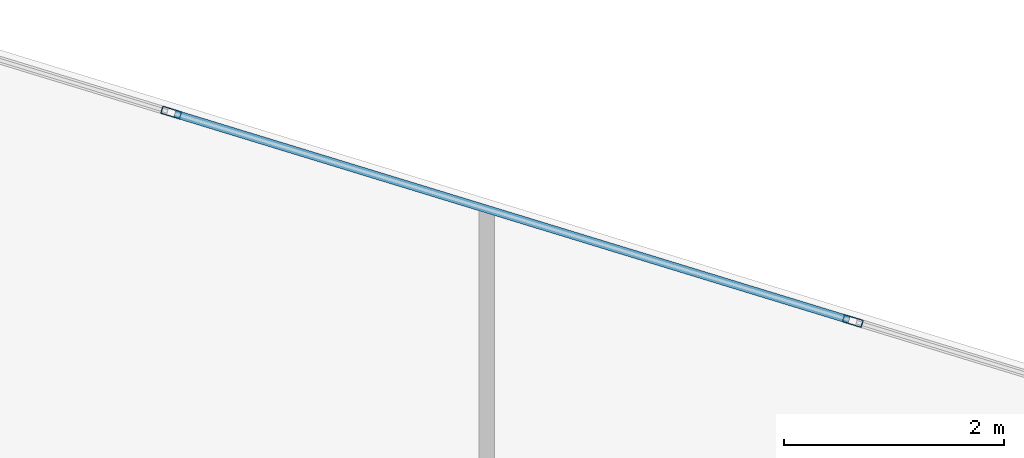
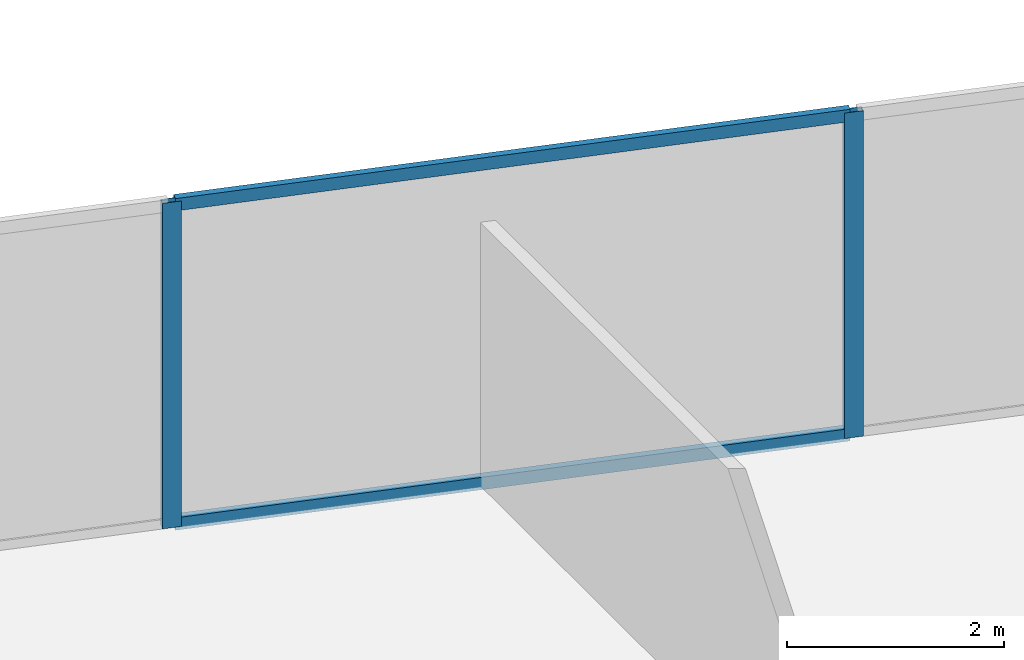
# One storey, part 20 of 26: 4 members, 1 element without a shape of its own.
"""IFC4 building model written with IfcOpenShell, lengths in metres."""

from ifc_helpers import new_model, si_unit, direction, frame, origin, origin_2d, place, context, subcontext, project, spatial, hollow_rectangle, extrude, source, transform, mapped, material, material_profile, profile_set, type_object, type_shapes, element, aggregate, save


model = new_model("IFC4")

# Units and contexts
model_context = context("Model", 3, precision=1e-05, world=origin(), true_north=direction((0.0, 1.0)))
body_context = subcontext(model_context, "Body", "Model", "MODEL_VIEW")
ifc_project = project(units=[si_unit("LENGTHUNIT", "METRE"), si_unit("AREAUNIT", "SQUARE_METRE"), si_unit("VOLUMEUNIT", "CUBIC_METRE"), si_unit("PLANEANGLEUNIT", "RADIAN"), si_unit("MASSUNIT", "GRAM", prefix="KILO")], contexts=[model_context])

# Site, building, storey
site_placement = place(None, origin())
site = spatial("IfcSite", under=ifc_project, at=site_placement, CompositionType="ELEMENT")
building_placement = place(site_placement, origin())
building = spatial("IfcBuilding", under=site, at=building_placement, Name="Krantzveldt Concourse Tower", CompositionType="ELEMENT")
storey_placement = place(building_placement, frame((0.0, 0.0, 113.75)))
storey = spatial("IfcBuildingStorey", under=building, at=storey_placement, Name="L27", CompositionType="ELEMENT", Elevation=113.75)

# Curtain wall, members
ifc_material = material(Name="Anodised aluminium 6063-T6", Category="aluminium")
curtain_wall_type = type_object("IfcCurtainWallType", Name="CW2", PredefinedType="USERDEFINED", material=ifc_material)
curtain_wall_placement = place(storey_placement, origin())
curtain_wall = element("IfcCurtainWall", 1, at=curtain_wall_placement, inside=storey, type_object=curtain_wall_type, Name="CW-L27-F10", ObjectType="UNITISED CURTAIN WALL", PredefinedType="USERDEFINED")
ifc_material_profile_1 = material_profile(ifc_material, hollow_rectangle(XDim=0.070068359375, YDim=0.179931640625, WallThickness=0.0048828125, at=origin_2d()), Name="Anodised aluminium 6063-T6", Category="aluminium")
ifc_profile_set_1 = profile_set([ifc_material_profile_1], Name="Anodised aluminium 6063-T6 - ALU-MULL 180x70x5")
member_type_1 = type_object("IfcMemberType", Name="CW-MUL-180", PredefinedType="MULLION", material=ifc_profile_set_1)
shared_shape_1 = source(origin(), body_context, "Body", "SweptSolid", [
    extrude(hollow_rectangle(XDim=0.070068359375, YDim=0.179931640625, WallThickness=0.0048828125, at=origin_2d()), origin(), (0.0, 0.0, 1.0), 3.669921875),
])
type_shapes(member_type_1, [shared_shape_1])
member_1_placement = place(storey_placement, frame((48.999267578125, 47.100830078125, 0.0), z_axis=(0.0, 0.0, 1.0), x_axis=(-0.292371686864, -0.956304761423, 0.0)))
member_1 = element("IfcMember", 2, at=member_1_placement, type_object=member_type_1, Name="CW-Z12 mullion 3", PredefinedType="MULLION", context=body_context, shape_type="MappedRepresentation", body=[
    mapped(shared_shape_1, transform((0.0, 0.0, 0.0), x_axis=(1.0, 0.0, 0.0), y_axis=(0.0, 1.0, 0.0), z_axis=(0.0, 0.0, 1.0), scale=1.0)),
])
member_2_placement = place(storey_placement, frame((42.815185546875, 48.991455078125, 0.0), z_axis=(0.0, 0.0, 1.0), x_axis=(-0.292371686864, -0.956304761423, 0.0)))
member_2 = element("IfcMember", 3, at=member_2_placement, type_object=member_type_1, Name="CW-Z12 mullion 4", PredefinedType="MULLION", context=body_context, shape_type="MappedRepresentation", body=[
    mapped(shared_shape_1, transform((0.0, 0.0, 0.0), x_axis=(1.0, 0.0, 0.0), y_axis=(0.0, 1.0, 0.0), z_axis=(0.0, 0.0, 1.0), scale=1.0)),
])
ifc_material_profile_2 = material_profile(ifc_material, hollow_rectangle(XDim=0.070068359375, YDim=0.139892578125, WallThickness=0.0048828125, at=origin_2d()), Name="Anodised aluminium 6063-T6", Category="aluminium")
ifc_profile_set_2 = profile_set([ifc_material_profile_2], Name="Anodised aluminium 6063-T6 - ALU-TRAN 140x70x5")
member_type_2 = type_object("IfcMemberType", Name="CW-TRN-150", PredefinedType="USERDEFINED", material=ifc_profile_set_2)
shared_shape_2 = source(origin(), body_context, "Body", "SweptSolid", [
    extrude(hollow_rectangle(XDim=0.070068359375, YDim=0.139892578125, WallThickness=0.0048828125, at=origin_2d()), origin(), (0.0, 0.0, 1.0), 6.396728515625),
])
type_shapes(member_type_2, [shared_shape_2])
member_3_placement = place(storey_placement, frame((48.9658203125, 47.111083984375, 0.034912109375), z_axis=(-0.956308895855, 0.292358163404, 0.0), x_axis=(-0.292358163404, -0.956308895855, 0.0)))
member_3 = element("IfcMember", 4, at=member_3_placement, type_object=member_type_2, Name="CW-Z12 transom 3.1", ObjectType="TRANSOM", PredefinedType="USERDEFINED", context=body_context, shape_type="MappedRepresentation", body=[
    mapped(shared_shape_2, transform((0.0, 0.0, 0.0), x_axis=(1.0, 0.0, 0.0), y_axis=(0.0, 1.0, 0.0), z_axis=(0.0, 0.0, 1.0), scale=1.0)),
])
member_4_placement = place(storey_placement, frame((48.9658203125, 47.111083984375, 3.635009765625), z_axis=(-0.956308895855, 0.292358163404, 0.0), x_axis=(-0.292358163404, -0.956308895855, 0.0)))
member_4 = element("IfcMember", 5, at=member_4_placement, type_object=member_type_2, Name="CW-Z12 transom 3.2", ObjectType="TRANSOM", PredefinedType="USERDEFINED", context=body_context, shape_type="MappedRepresentation", body=[
    mapped(shared_shape_2, transform((0.0, 0.0, 0.0), x_axis=(1.0, 0.0, 0.0), y_axis=(0.0, 1.0, 0.0), z_axis=(0.0, 0.0, 1.0), scale=1.0)),
])
aggregate(curtain_wall, [member_1, member_2, member_3, member_4])

save(model, "model.ifc")
